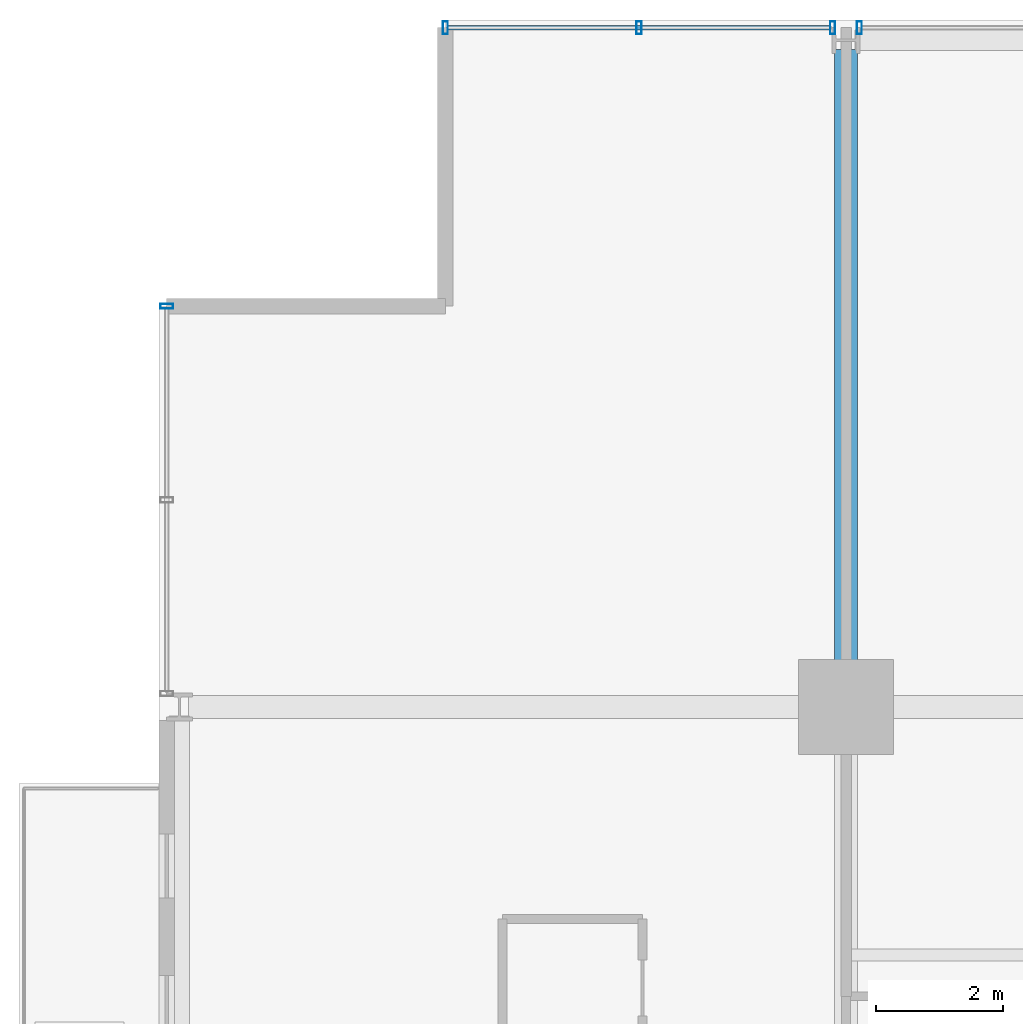
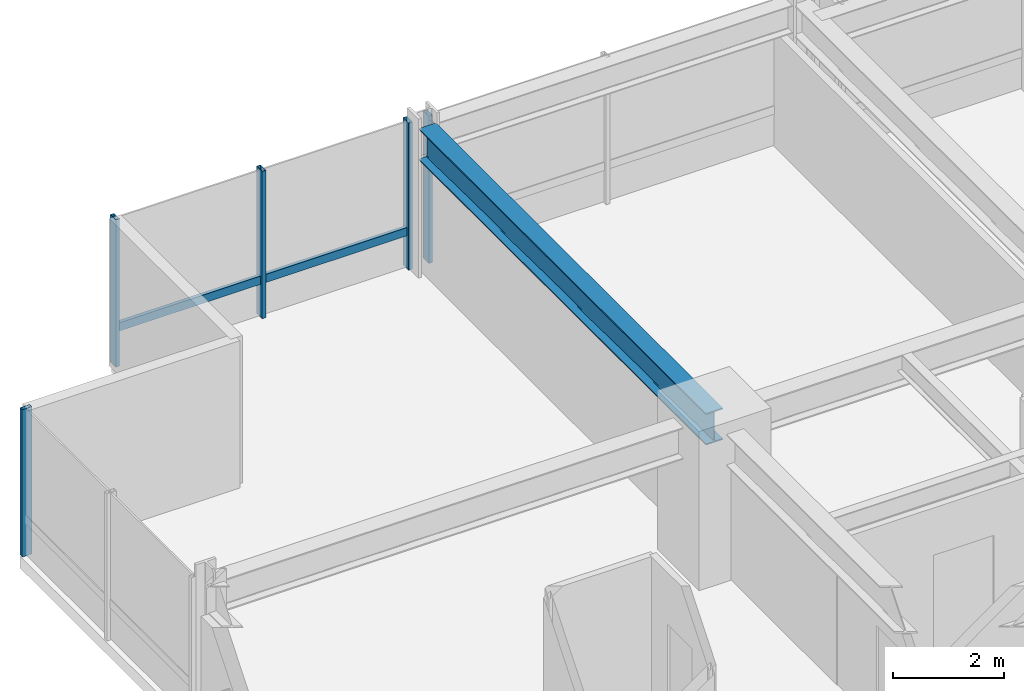
# One storey, part 20 of 35: 6 members, 1 beam, 3 elements without a shape of their own.
"""IFC4 building model written with IfcOpenShell, lengths in metres."""

from ifc_helpers import new_model, si_unit, direction, frame, origin, origin_2d, place, context, subcontext, project, spatial, hollow_rectangle, i_section, extrude, material, layer, layer_set, material_profile, profile_set, type_object, element, aggregate, save


model = new_model("IFC4")

# Units and contexts
model_context = context("Model", 3, precision=1e-05, world=origin(), true_north=direction((0.0, 1.0)))
body_context = subcontext(model_context, "Body", "Model", "MODEL_VIEW")
ifc_project = project(units=[si_unit("LENGTHUNIT", "METRE"), si_unit("AREAUNIT", "SQUARE_METRE"), si_unit("VOLUMEUNIT", "CUBIC_METRE"), si_unit("PLANEANGLEUNIT", "RADIAN"), si_unit("MASSUNIT", "GRAM", prefix="KILO")], contexts=[model_context])

# Site, building, storey
site_placement = place(None, origin())
site = spatial("IfcSite", under=ifc_project, at=site_placement, CompositionType="ELEMENT")
building_placement = place(site_placement, origin())
building = spatial("IfcBuilding", under=site, at=building_placement, Name="Drelvath Grand Hotel", CompositionType="ELEMENT")
storey_placement = place(building_placement, frame((0.0, 0.0, 123.300048828125)))
storey = spatial("IfcBuildingStorey", under=building, at=storey_placement, Name="L31", CompositionType="ELEMENT", Elevation=123.300048828125)

# Curtain wall, member
ifc_material_1 = material(Name="Champagne Bronze Anodised Aluminium Frame", Category="aluminium")
ifc_layer = layer(ifc_material_1, 0.199951171875)
ifc_layer_set = layer_set([ifc_layer], Name="Champagne Bronze Anodised Aluminium Frame")
curtain_wall_type = type_object("IfcCurtainWallType", Name="Stick Curtain Wall CW-03 Champagne Bronze Mid-Rise", PredefinedType="NOTDEFINED", material=ifc_layer_set)
curtain_wall_1_placement = place(storey_placement, origin())
curtain_wall_1 = element("IfcCurtainWall", 1, at=curtain_wall_1_placement, inside=storey, type_object=curtain_wall_type, Name="L31 CW-03 Curtain Wall CW03-L31-NW1", PredefinedType="NOTDEFINED")
ifc_material_profile_1 = material_profile(ifc_material_1, hollow_rectangle(XDim=0.074951171875, YDim=0.179931640625, WallThickness=0.0048828125, at=origin_2d()), Name="HSS180X75X5")
ifc_profile_set_1 = profile_set([ifc_material_profile_1], Name="Champagne Bronze Anodised Aluminium Frame")
member_type_1 = type_object("IfcMemberType", Name="Curtain Wall Horizontal Transom CW-03 HSS180X75X5", PredefinedType="USERDEFINED", material=ifc_profile_set_1)
member_1_placement = place(storey_placement, frame((-22.4599609375, 53.8798828125, 0.81005859375), z_axis=(1.0, 0.0, 0.0), x_axis=(0.0, 1.0, 0.0)))
member_1 = element("IfcMember", 2, at=member_1_placement, type_object=member_type_1, Name="CW03-L31-NW1 Sill Transom", ObjectType="TRANSOM", PredefinedType="USERDEFINED", context=body_context, shape_type="SweptSolid", body=[
    extrude(hollow_rectangle(XDim=0.074951171875, YDim=0.179931640625, WallThickness=0.0048828125, at=origin_2d()), origin(), (0.0, 0.0, 1.0), 6.010498046875),
])

curtain_wall_2_placement = place(storey_placement, origin())
curtain_wall_2 = element("IfcCurtainWall", 3, at=curtain_wall_2_placement, inside=storey, type_object=curtain_wall_type, Name="L31 CW-03 Curtain Wall CW03-L31-WN3", PredefinedType="NOTDEFINED")
ifc_material_profile_2 = material_profile(ifc_material_1, hollow_rectangle(XDim=0.080078125, YDim=0.199951171875, WallThickness=0.0048828125, at=origin_2d()), Name="HSS200X80X5")
ifc_profile_set_2 = profile_set([ifc_material_profile_2], Name="Champagne Bronze Anodised Aluminium Frame")
member_type_2 = type_object("IfcMemberType", Name="Curtain Wall Vertical Mullion CW-03 HSS200X80X5", PredefinedType="MULLION", material=ifc_profile_set_2)
member_2_placement = place(storey_placement, frame((-26.8798828125, 49.5, 0.0), z_axis=(0.0, 0.0, 1.0), x_axis=(0.0, 1.0, 0.0)))
member_2 = element("IfcMember", 4, at=member_2_placement, type_object=member_type_2, Name="CW03-L31-WN3 Mullion 3", PredefinedType="MULLION", context=body_context, shape_type="SweptSolid", body=[
    extrude(hollow_rectangle(XDim=0.080078125, YDim=0.199951171875, WallThickness=0.0048828125, at=origin_2d()), origin(), (0.0, 0.0, 1.0), 3.239990234375),
])
aggregate(curtain_wall_2, [member_2])

# Member
member_3_placement = place(storey_placement, frame((-22.5, 53.8798828125, 0.0), z_axis=(0.0, 0.0, 1.0), x_axis=(1.0, 0.0, 0.0)))
member_3 = element("IfcMember", 5, at=member_3_placement, type_object=member_type_2, Name="CW03-L31-NW1 Mullion 1", PredefinedType="MULLION", context=body_context, shape_type="SweptSolid", body=[
    extrude(hollow_rectangle(XDim=0.080078125, YDim=0.199951171875, WallThickness=0.0048828125, at=origin_2d()), origin(), (0.0, 0.0, 1.0), 3.239990234375),
])

member_4_placement = place(storey_placement, frame((-19.45458984375, 53.8798828125, 0.0), z_axis=(0.0, 0.0, 1.0), x_axis=(1.0, 0.0, 0.0)))
member_4 = element("IfcMember", 6, at=member_4_placement, type_object=member_type_2, Name="CW03-L31-NW1 Mullion 2", PredefinedType="MULLION", context=body_context, shape_type="SweptSolid", body=[
    extrude(hollow_rectangle(XDim=0.080078125, YDim=0.199951171875, WallThickness=0.0048828125, at=origin_2d()), origin(), (0.0, 0.0, 1.0), 3.239990234375),
])

member_5_placement = place(storey_placement, frame((-16.409423828125, 53.8798828125, 0.0), z_axis=(0.0, 0.0, 1.0), x_axis=(1.0, 0.0, 0.0)))
member_5 = element("IfcMember", 7, at=member_5_placement, type_object=member_type_2, Name="CW03-L31-NW1 Mullion 3", PredefinedType="MULLION", context=body_context, shape_type="SweptSolid", body=[
    extrude(hollow_rectangle(XDim=0.080078125, YDim=0.199951171875, WallThickness=0.0048828125, at=origin_2d()), origin(), (0.0, 0.0, 1.0), 3.239990234375),
])

aggregate(curtain_wall_1, [member_3, member_4, member_5, member_1])

# Curtain wall, member
curtain_wall_3_placement = place(storey_placement, origin())
curtain_wall_3 = element("IfcCurtainWall", 8, at=curtain_wall_3_placement, inside=storey, type_object=curtain_wall_type, Name="L31 CW-03 Curtain Wall CW03-L31-NW2", PredefinedType="NOTDEFINED")
member_6_placement = place(storey_placement, frame((-15.990478515625, 53.8798828125, 0.0), z_axis=(0.0, 0.0, 1.0), x_axis=(1.0, 0.0, 0.0)))
member_6 = element("IfcMember", 9, at=member_6_placement, type_object=member_type_2, Name="CW03-L31-NW2 Mullion 1", PredefinedType="MULLION", context=body_context, shape_type="SweptSolid", body=[
    extrude(hollow_rectangle(XDim=0.080078125, YDim=0.199951171875, WallThickness=0.0048828125, at=origin_2d()), origin(), (0.0, 0.0, 1.0), 3.239990234375),
])
aggregate(curtain_wall_3, [member_6])

# Beam
ifc_material_2 = material(Name="Steel ASTM A992 Gr 50", Category="steel")
ifc_material_profile_3 = material_profile(ifc_material_2, i_section(OverallWidth=0.354736328125, OverallDepth=0.695556640625, WebThickness=0.015380859375, FlangeThickness=0.025146484375, FilletRadius=0.02392578125, at=origin_2d()), Name="W27X146")
ifc_profile_set_3 = profile_set([ifc_material_profile_3], Name="Steel ASTM A992 Gr 50")
beam_type = type_object("IfcBeamType", Name="Primary Floor Girder W27X146", PredefinedType="BEAM", material=ifc_profile_set_3)
beam_placement = place(storey_placement, frame((-16.199951171875, 43.199951171875, 2.892333984375), z_axis=(0.0, 1.0, 0.0), x_axis=(-1.0, 0.0, 0.0)))
element("IfcBeam", 10, at=beam_placement, inside=storey, type_object=beam_type, Name="L31 North Grid Girder 3", PredefinedType="BEAM", context=body_context, shape_type="SweptSolid", body=[
    extrude(i_section(OverallWidth=0.354736328125, OverallDepth=0.695556640625, WebThickness=0.015380859375, FlangeThickness=0.025146484375, FilletRadius=0.02392578125, at=origin_2d()), origin(), (0.0, 0.0, 1.0), 10.340087890625),
])

save(model, "model.ifc")
